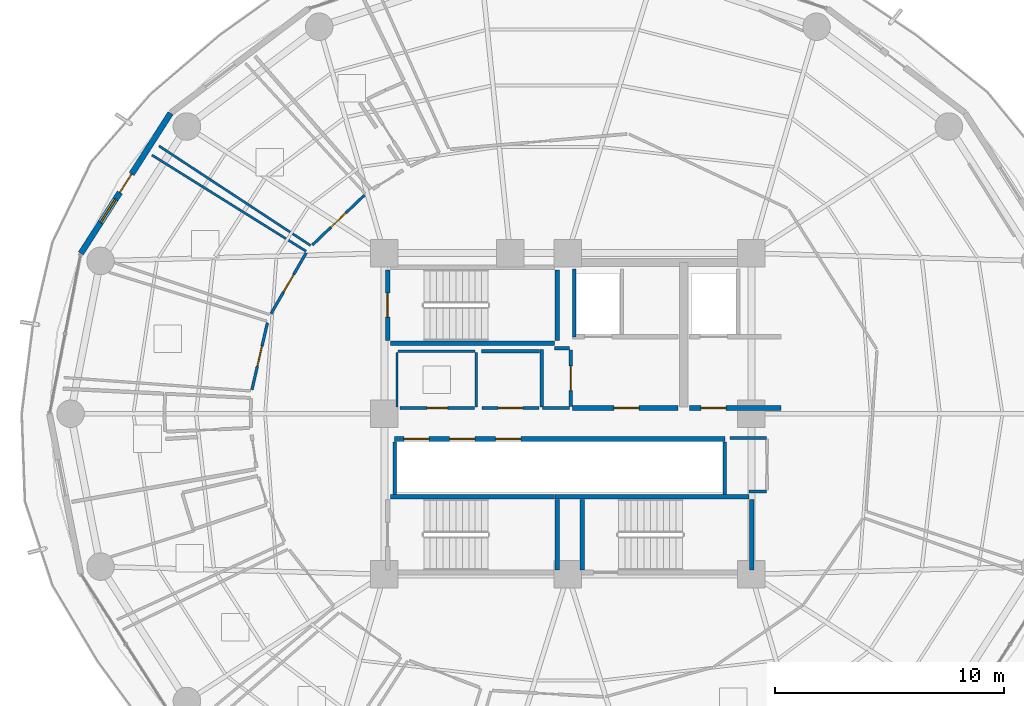
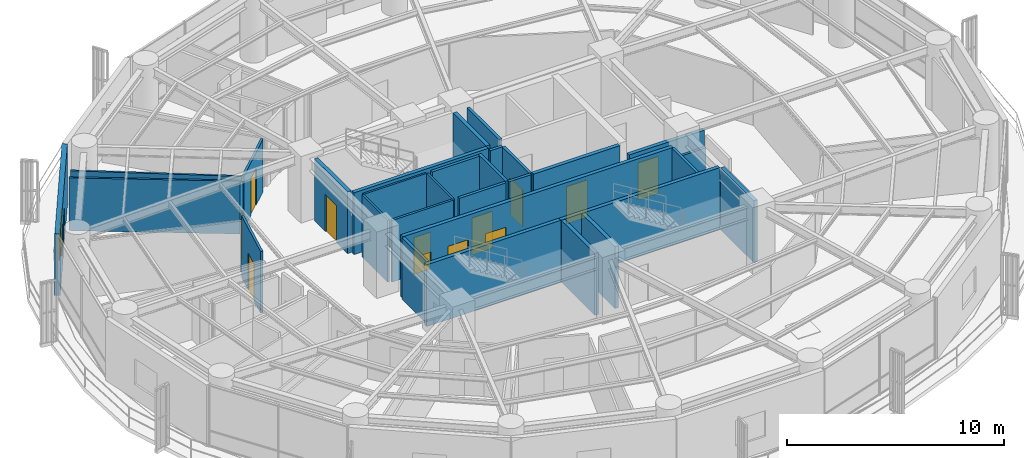
# One storey, part 22 of 28: 32 walls, 13 doors, 1 window, 14 openings.
"""IFC4 building model written with IfcOpenShell, lengths in metres."""

from ifc_helpers import new_model, si_unit, direction, frame, frame_2d, origin, place, context, subcontext, project, spatial, rectangle, extrude, material, layer, layer_set, type_object, element, fill, save


model = new_model("IFC4")

# Units and contexts
model_context = context("Model", 3, precision=1e-05, world=origin(), true_north=direction((0.0, 1.0)))
body_context = subcontext(model_context, "Body", "Model", "MODEL_VIEW")
ifc_project = project(units=[si_unit("LENGTHUNIT", "METRE"), si_unit("AREAUNIT", "SQUARE_METRE"), si_unit("VOLUMEUNIT", "CUBIC_METRE"), si_unit("PLANEANGLEUNIT", "RADIAN"), si_unit("MASSUNIT", "GRAM", prefix="KILO")], contexts=[model_context])

# Site, building, storey
site_placement = place(None, origin())
site = spatial("IfcSite", under=ifc_project, at=site_placement, CompositionType="ELEMENT")
building_placement = place(site_placement, origin())
building = spatial("IfcBuilding", under=site, at=building_placement, Name="Kelanora Arch Commons", CompositionType="ELEMENT")
storey_placement = place(building_placement, frame((0.0, 0.0, 180.60009765625)))
storey = spatial("IfcBuildingStorey", under=building, at=storey_placement, Name="L46", CompositionType="ELEMENT", Elevation=180.60009765625)

# Walls
ifc_material_1 = material(Name="Autoclaved aerated concrete blockwork with fire plaster", Category="masonry")
ifc_layer_1 = layer(ifc_material_1, 0.14990234375)
ifc_layer_set_1 = layer_set([ifc_layer_1], Name="Autoclaved aerated concrete blockwork with fire plaster")
wall_type_1 = type_object("IfcWallType", Name="W-COMP-150", PredefinedType="PARTITIONING", material=ifc_layer_set_1)
wall_1_placement = place(storey_placement, frame((74.280029296875, 61.35009765625, 0.0), z_axis=(0.0, 0.0, 1.0), x_axis=(0.0, 1.0, 0.0)))
element("IfcWall", 1, at=wall_1_placement, inside=storey, type_object=wall_type_1, Name="Firefighting Lift 1 West Shaft Wall L46", PredefinedType="PARTITIONING", context=body_context, shape_type="SweptSolid", body=[
    extrude(rectangle(XDim=2.969970703125, YDim=0.14990234375, at=frame_2d((1.48486328125, 0.0))), origin(), (0.0, 0.0, 1.0), 3.47998046875),
])
for number, where, z_axis, x_axis, name in (
    (2, (66.4599609375, 54.47998046875, 0.0), (0.0, 0.0, 1.0), (0.0, 1.0, 0.0), "South Lift Bank West Wall L46"),
    (3, (80.840087890625, 54.47998046875, 0.0), (0.0, 0.0, 1.0), (0.0, 1.0, 0.0), "South Lift Bank East Wall L46"),
):
    element("IfcWall", number, at=place(storey_placement, frame(where, z_axis=z_axis, x_axis=x_axis)), inside=storey, type_object=wall_type_1, Name=name, PredefinedType="PARTITIONING", context=body_context, shape_type="SweptSolid", body=[
        extrude(rectangle(XDim=2.2900390625, YDim=0.14990234375, at=frame_2d((1.14501953125, 0.0))), origin(), (0.0, 0.0, 1.0), 3.47998046875),
    ])

# Wall, opening, door
wall_2_placement = place(storey_placement, frame((74.1201171875, 58.31005859375, 0.0), z_axis=(0.0, 0.0, 1.0), x_axis=(0.0, 1.0, 0.0)))
wall_2 = element("IfcWall", 4, at=wall_2_placement, inside=storey, type_object=wall_type_1, Name="Core Linen Supply Store L46 Entry Partition", PredefinedType="PARTITIONING", context=body_context, shape_type="SweptSolid", body=[
    extrude(rectangle(XDim=2.47998046875, YDim=0.14990234375, at=frame_2d((1.239990234375, 0.0))), origin(), (0.0, 0.0, 1.0), 3.47998046875),
])
opening_1_placement = place(wall_2_placement, frame((0.699951171875, 0.0, 0.0)))
opening_1 = element("IfcOpeningElement", 5, at=opening_1_placement, cuts=wall_2, Name="Opening D-PLT1", PredefinedType="OPENING", context=body_context, shape_type="SweptSolid", body=[
    extrude(rectangle(XDim=1.080078125, YDim=2.10009765625, at=frame_2d((0.5400390625, 1.050048828125))), frame((0.0, 0.0849609375, 0.0), z_axis=(0.0, -1.0, 0.0), x_axis=(1.0, 0.0, 0.0)), (0.0, 0.0, 1.0), 0.169921875),
])
ifc_material_2 = material(Name="Galvanised steel plant and riser fire door", Category="steel")
door_type_1 = type_object("IfcDoorType", Name="D-PLT-110", OperationType="NOTDEFINED", PredefinedType="DOOR", material=ifc_material_2)
door_1_placement = place(opening_1_placement, origin())
door_1 = element("IfcDoor", 6, at=door_1_placement, inside=storey, type_object=door_type_1, Name="Core Linen Supply Store L46 Door", OperationType="SINGLE_SWING_RIGHT", OverallHeight=2.10009765625, OverallWidth=1.080078125, PredefinedType="DOOR", context=body_context, shape_type="SweptSolid", body=[
    extrude(rectangle(XDim=1.080078125, YDim=2.10009765625, at=frame_2d((0.5400390625, 1.050048828125))), frame((0.0, 0.02490234375, 0.0), z_axis=(0.0, -1.0, 0.0), x_axis=(1.0, 0.0, 0.0)), (0.0, 0.0, 1.0), 0.050048828125),
])
fill(opening_1, door_1)

wall_3_placement = place(storey_placement, frame((70.260009765625, 58.25, 0.0), z_axis=(0.0, 0.0, 1.0), x_axis=(1.0, 0.0, 0.0)))
wall_3 = element("IfcWall", 7, at=wall_3_placement, inside=storey, type_object=wall_type_1, Name="Reclaimed Core Linen Store L46 Entry Partition", PredefinedType="PARTITIONING", context=body_context, shape_type="SweptSolid", body=[
    extrude(rectangle(XDim=2.47998046875, YDim=0.14990234375, at=frame_2d((1.239990234375, 0.0))), origin(), (0.0, 0.0, 1.0), 3.47998046875),
])
opening_2_placement = place(wall_3_placement, frame((0.699951171875, 0.0, 0.0)))
opening_2 = element("IfcOpeningElement", 8, at=opening_2_placement, cuts=wall_3, Name="Opening D-PLT1", PredefinedType="OPENING", context=body_context, shape_type="SweptSolid", body=[
    extrude(rectangle(XDim=1.080078125, YDim=2.10009765625, at=frame_2d((0.5400390625, 1.050048828125))), frame((0.0, 0.0849609375, 0.0), z_axis=(0.0, -1.0, 0.0), x_axis=(1.0, 0.0, 0.0)), (0.0, 0.0, 1.0), 0.169921875),
])
door_2_placement = place(opening_2_placement, origin())
door_2 = element("IfcDoor", 9, at=door_2_placement, inside=storey, type_object=door_type_1, Name="Reclaimed Core Linen Store L46 Door", OperationType="SINGLE_SWING_LEFT", OverallHeight=2.10009765625, OverallWidth=1.080078125, PredefinedType="DOOR", context=body_context, shape_type="SweptSolid", body=[
    extrude(rectangle(XDim=1.080078125, YDim=2.10009765625, at=frame_2d((0.5400390625, 1.050048828125))), frame((0.0, 0.02490234375, 0.0), z_axis=(0.0, -1.0, 0.0), x_axis=(1.0, 0.0, 0.0)), (0.0, 0.0, 1.0), 0.050048828125),
])
fill(opening_2, door_2)

# Walls
wall_4_placement = place(storey_placement, frame((72.89990234375, 58.25, 0.0), z_axis=(0.0, 0.0, 1.0), x_axis=(1.0, 0.0, 0.0)))
element("IfcWall", 10, at=wall_4_placement, inside=storey, type_object=wall_type_1, Name="Core Linen Supply Store L46 Enclosure Partition 1", PredefinedType="PARTITIONING", context=body_context, shape_type="SweptSolid", body=[
    extrude(rectangle(XDim=1.18017578125, YDim=0.14990234375, at=frame_2d((0.590087890625, 0.0))), origin(), (0.0, 0.0, 1.0), 3.47998046875),
])
wall_5_placement = place(storey_placement, frame((74.080078125, 60.85009765625, 0.0), z_axis=(0.0, 0.0, 1.0), x_axis=(-1.0, 0.0, 0.0)))
element("IfcWall", 11, at=wall_5_placement, inside=storey, type_object=wall_type_1, Name="Core Linen Supply Store L46 Enclosure Partition 3", PredefinedType="PARTITIONING", context=body_context, shape_type="SweptSolid", body=[
    extrude(rectangle(XDim=0.66015625, YDim=0.14990234375, at=frame_2d((0.330078125, 0.0))), origin(), (0.0, 0.0, 1.0), 3.47998046875),
])
for number, where, z_axis, x_axis, name in (
    (12, (72.860107421875, 60.81005859375, 0.0), (0.0, 0.0, 1.0), (0.0, -1.0, 0.0), "Core Linen Supply Store L46 Enclosure Partition 4"),
    (13, (72.760009765625, 60.719970703125, 0.0), (0.0, 0.0, 1.0), (-1.0, 0.0, 0.0), "Reclaimed Core Linen Store L46 Enclosure Partition 3"),
):
    element("IfcWall", number, at=place(storey_placement, frame(where, z_axis=z_axis, x_axis=x_axis)), inside=storey, type_object=wall_type_1, Name=name, PredefinedType="PARTITIONING", context=body_context, shape_type="SweptSolid", body=[
        extrude(rectangle(XDim=2.52001953125, YDim=0.14990234375, at=frame_2d((1.260009765625, 0.0))), origin(), (0.0, 0.0, 1.0), 3.47998046875),
    ])

# Wall, openings, door, window
ifc_material_3 = material(Name="Precast concrete C40/50 with terracotta rainscreen", Category="masonry")
ifc_layer_2 = layer(ifc_material_3, 0.260009765625)
ifc_layer_set_2 = layer_set([ifc_layer_2], Name="Precast concrete C40/50 with terracotta rainscreen")
wall_type_2 = type_object("IfcWallType", Name="W-EXT-TC", PredefinedType="SOLIDWALL", material=ifc_layer_set_2)
wall_6_placement = place(storey_placement, frame((56.67919921875, 71.100341796875, 0.0), z_axis=(0.0, 0.0, 1.0), x_axis=(-0.538801521808, -0.842432739213, 0.0)))
wall_6 = element("IfcWall", 14, at=wall_6_placement, inside=storey, type_object=wall_type_2, Name="Terracotta Exterior Wall L46-B07", PredefinedType="SOLIDWALL", context=body_context, shape_type="SweptSolid", body=[
    extrude(rectangle(XDim=7.25341796875, YDim=0.260009765625, at=frame_2d((3.626708984375, 0.0))), origin(), (0.0, 0.0, 1.0), 3.474853515625),
])
opening_3_placement = place(wall_6_placement, frame((3.152099609375, 0.0, 0.0)))
opening_3 = element("IfcOpeningElement", 15, at=opening_3_placement, cuts=wall_6, Name="Opening DB-01", PredefinedType="OPENING", context=body_context, shape_type="SweptSolid", body=[
    extrude(rectangle(XDim=0.949951171875, YDim=2.10009765625, at=frame_2d((0.47509765625, 1.050048828125))), frame((0.0, 0.14013671875, 0.0), z_axis=(0.0, -1.0, 0.0), x_axis=(1.0, 0.0, 0.0)), (0.0, 0.0, 1.0), 0.280029296875),
])
opening_4_placement = place(wall_6_placement, frame((4.451904296875, 0.0, 0.85009765625)))
opening_4 = element("IfcOpeningElement", 16, at=opening_4_placement, cuts=wall_6, Name="Opening WN-02", PredefinedType="OPENING", context=body_context, shape_type="SweptSolid", body=[
    extrude(rectangle(XDim=1.199951171875, YDim=1.449951171875, at=frame_2d((0.60009765625, 0.72509765625))), frame((0.0, 0.14013671875, 0.0), z_axis=(0.0, -1.0, 0.0), x_axis=(1.0, 0.0, 0.0)), (0.0, 0.0, 1.0), 0.280029296875),
])
ifc_material_4 = material(Name="Terracotta-aluminium thermally broken glazed balcony door", Category="masonry")
door_type_2 = type_object("IfcDoorType", Name="D-BAL-10", OperationType="NOTDEFINED", PredefinedType="DOOR", material=ifc_material_4)
door_3_placement = place(opening_3_placement, frame((0.949951171875, 0.0, 0.0), z_axis=(0.0, 0.0, 1.0), x_axis=(-1.0, 0.0, 0.0)))
door_3 = element("IfcDoor", 17, at=door_3_placement, inside=storey, type_object=door_type_2, Name="Wave Balcony Door L46-B07", OperationType="SINGLE_SWING_RIGHT", OverallHeight=2.10009765625, OverallWidth=0.949951171875, PredefinedType="DOOR", context=body_context, shape_type="SweptSolid", body=[
    extrude(rectangle(XDim=0.949951171875, YDim=2.10009765625, at=frame_2d((0.47509765625, 1.050048828125))), frame((0.0, 0.02490234375, 0.0), z_axis=(0.0, -1.0, 0.0), x_axis=(1.0, 0.0, 0.0)), (0.0, 0.0, 1.0), 0.050048828125),
])
fill(opening_3, door_3)
ifc_material_5 = material(Name="Terracotta-anodised aluminium frame with operable awning sash", Category="masonry")
window_type = type_object("IfcWindowType", Name="WIN-CL-12", PartitioningType="SINGLE_PANEL", PredefinedType="WINDOW", material=ifc_material_5)
window_placement = place(opening_4_placement, origin())
window = element("IfcWindow", 18, at=window_placement, inside=storey, type_object=window_type, Name="Co-Living Operable Window L46-B07", OverallHeight=1.449951171875, OverallWidth=1.199951171875, PartitioningType="SINGLE_PANEL", PredefinedType="WINDOW", context=body_context, shape_type="SweptSolid", body=[
    extrude(rectangle(XDim=1.199951171875, YDim=1.449951171875, at=frame_2d((0.60009765625, 0.72509765625))), frame((0.0, 0.030029296875, 0.0), z_axis=(0.0, -1.0, 0.0), x_axis=(1.0, 0.0, 0.0)), (0.0, 0.0, 1.0), 0.06005859375),
])
fill(opening_4, window)

# Wall, opening, door
ifc_material_6 = material(Name="Concrete C40/50", Category="concrete")
ifc_layer_3 = layer(ifc_material_6, 0.199951171875)
ifc_layer_set_3 = layer_set([ifc_layer_3], Name="Concrete C40/50")
wall_type_3 = type_object("IfcWallType", Name="W-FFL-200", PredefinedType="SOLIDWALL", material=ifc_layer_set_3)
wall_7_placement = place(storey_placement, frame((74.199951171875, 58.25, 0.0), z_axis=(0.0, 0.0, 1.0), x_axis=(1.0, 0.0, 0.0)))
wall_7 = element("IfcWall", 19, at=wall_7_placement, inside=storey, type_object=wall_type_3, Name="Firefighting Lobby 1 Enclosure Wall L46", PredefinedType="SOLIDWALL", context=body_context, shape_type="SweptSolid", body=[
    extrude(rectangle(XDim=4.60009765625, YDim=0.199951171875, at=frame_2d((2.300048828125, 0.0))), origin(), (0.0, 0.0, 1.0), 3.47998046875),
])
opening_5_placement = place(wall_7_placement, frame((1.800048828125, 0.0, 0.0)))
opening_5 = element("IfcOpeningElement", 20, at=opening_5_placement, cuts=wall_7, Name="Opening D-FFL1", PredefinedType="OPENING", context=body_context, shape_type="SweptSolid", body=[
    extrude(rectangle(XDim=1.10009765625, YDim=2.10009765625, at=frame_2d((0.550048828125, 1.050048828125))), frame((0.0, 0.10986328125, 0.0), z_axis=(0.0, -1.0, 0.0), x_axis=(1.0, 0.0, 0.0)), (0.0, 0.0, 1.0), 0.219970703125),
])
ifc_material_7 = material(Name="Smoke-sealed firefighting lobby fire door")
door_type_3 = type_object("IfcDoorType", Name="D-FFL-110", OperationType="NOTDEFINED", PredefinedType="DOOR", material=ifc_material_7)
door_4_placement = place(opening_5_placement, frame((1.10009765625, 0.0, 0.0), z_axis=(0.0, 0.0, 1.0), x_axis=(-1.0, 0.0, 0.0)))
door_4 = element("IfcDoor", 21, at=door_4_placement, inside=storey, type_object=door_type_3, Name="Firefighting Lobby 1 Door L46", OperationType="SINGLE_SWING_LEFT", OverallHeight=2.10009765625, OverallWidth=1.10009765625, PredefinedType="DOOR", context=body_context, shape_type="SweptSolid", body=[
    extrude(rectangle(XDim=1.10009765625, YDim=2.10009765625, at=frame_2d((0.550048828125, 1.050048828125))), frame((0.0, 0.02490234375, 0.0), z_axis=(0.0, -1.0, 0.0), x_axis=(1.0, 0.0, 0.0)), (0.0, 0.0, 1.0), 0.050048828125),
])
fill(opening_5, door_4)

wall_8_placement = place(storey_placement, frame((79.300048828125, 58.25, 0.0), z_axis=(0.0, 0.0, 1.0), x_axis=(1.0, 0.0, 0.0)))
wall_8 = element("IfcWall", 22, at=wall_8_placement, inside=storey, type_object=wall_type_3, Name="Firefighting Lobby 2 Enclosure Wall L46", PredefinedType="SOLIDWALL", context=body_context, shape_type="SweptSolid", body=[
    extrude(rectangle(XDim=4.0, YDim=0.199951171875, at=frame_2d((2.0, 0.0))), origin(), (0.0, 0.0, 1.0), 2.77490234375),
])
opening_6_placement = place(wall_8_placement, frame((0.5, 0.0, 0.0)))
opening_6 = element("IfcOpeningElement", 23, at=opening_6_placement, cuts=wall_8, Name="Opening D-FFL1", PredefinedType="OPENING", context=body_context, shape_type="SweptSolid", body=[
    extrude(rectangle(XDim=1.10009765625, YDim=2.10009765625, at=frame_2d((0.550048828125, 1.050048828125))), frame((0.0, 0.10986328125, 0.0), z_axis=(0.0, -1.0, 0.0), x_axis=(1.0, 0.0, 0.0)), (0.0, 0.0, 1.0), 0.219970703125),
])
door_5_placement = place(opening_6_placement, frame((1.10009765625, 0.0, 0.0), z_axis=(0.0, 0.0, 1.0), x_axis=(-1.0, 0.0, 0.0)))
door_5 = element("IfcDoor", 24, at=door_5_placement, inside=storey, type_object=door_type_3, Name="Firefighting Lobby 2 Door L46", OperationType="SINGLE_SWING_RIGHT", OverallHeight=2.10009765625, OverallWidth=1.10009765625, PredefinedType="DOOR", context=body_context, shape_type="SweptSolid", body=[
    extrude(rectangle(XDim=1.10009765625, YDim=2.10009765625, at=frame_2d((0.550048828125, 1.050048828125))), frame((0.0, 0.02490234375, 0.0), z_axis=(0.0, -1.0, 0.0), x_axis=(1.0, 0.0, 0.0)), (0.0, 0.0, 1.0), 0.050048828125),
])
fill(opening_6, door_5)

# Wall, openings, doors
wall_9_placement = place(storey_placement, frame((66.449951171875, 56.89990234375, 0.0), z_axis=(0.0, 0.0, 1.0), x_axis=(1.0, 0.0, 0.0)))
wall_9 = element("IfcWall", 25, at=wall_9_placement, inside=storey, type_object=wall_type_3, Name="Mid/High/Express Lift Shaft Front L46", PredefinedType="SOLIDWALL", context=body_context, shape_type="SweptSolid", body=[
    extrude(rectangle(XDim=14.400146484375, YDim=0.199951171875, at=frame_2d((7.2001953125, 0.0))), origin(), (0.0, 0.0, 1.0), 3.47998046875),
])
opening_7_placement = place(wall_9_placement, frame((0.39990234375, 0.0, 0.0)))
opening_7 = element("IfcOpeningElement", 26, at=opening_7_placement, cuts=wall_9, Name="Opening LD-01", PredefinedType="OPENING", context=body_context, shape_type="SweptSolid", body=[
    extrude(rectangle(XDim=1.10009765625, YDim=2.10009765625, at=frame_2d((0.550048828125, 1.050048828125))), frame((0.0, 0.10986328125, 0.0), z_axis=(0.0, -1.0, 0.0), x_axis=(1.0, 0.0, 0.0)), (0.0, 0.0, 1.0), 0.219970703125),
])
opening_8_placement = place(wall_9_placement, frame((2.39990234375, 0.0, 0.0)))
opening_8 = element("IfcOpeningElement", 27, at=opening_8_placement, cuts=wall_9, Name="Opening LD-01", PredefinedType="OPENING", context=body_context, shape_type="SweptSolid", body=[
    extrude(rectangle(XDim=1.10009765625, YDim=2.10009765625, at=frame_2d((0.550048828125, 1.050048828125))), frame((0.0, 0.10986328125, 0.0), z_axis=(0.0, -1.0, 0.0), x_axis=(1.0, 0.0, 0.0)), (0.0, 0.0, 1.0), 0.219970703125),
])
opening_9_placement = place(wall_9_placement, frame((4.39990234375, 0.0, 0.0)))
opening_9 = element("IfcOpeningElement", 28, at=opening_9_placement, cuts=wall_9, Name="Opening LD-01", PredefinedType="OPENING", context=body_context, shape_type="SweptSolid", body=[
    extrude(rectangle(XDim=1.10009765625, YDim=2.10009765625, at=frame_2d((0.550048828125, 1.050048828125))), frame((0.0, 0.10986328125, 0.0), z_axis=(0.0, -1.0, 0.0), x_axis=(1.0, 0.0, 0.0)), (0.0, 0.0, 1.0), 0.219970703125),
])
ifc_material_8 = material(Name="Stainless steel passenger lift sliding landing door", Category="steel")
door_type_4 = type_object("IfcDoorType", Name="D-LIFT-110", OperationType="NOTDEFINED", PredefinedType="DOOR", material=ifc_material_8)
door_6_placement = place(opening_7_placement, origin())
door_6 = element("IfcDoor", 29, at=door_6_placement, inside=storey, type_object=door_type_4, Name="Passenger Lift LF-P4 Landing Door L46", OperationType="DOUBLE_DOOR_SLIDING", OverallHeight=2.10009765625, OverallWidth=1.10009765625, PredefinedType="DOOR", context=body_context, shape_type="SweptSolid", body=[
    extrude(rectangle(XDim=1.10009765625, YDim=2.10009765625, at=frame_2d((0.550048828125, 1.050048828125))), frame((0.0, 0.02490234375, 0.0), z_axis=(0.0, -1.0, 0.0), x_axis=(1.0, 0.0, 0.0)), (0.0, 0.0, 1.0), 0.050048828125),
])
fill(opening_7, door_6)
door_7_placement = place(opening_8_placement, origin())
door_7 = element("IfcDoor", 30, at=door_7_placement, inside=storey, type_object=door_type_4, Name="Passenger Lift LF-P5 Landing Door L46", OperationType="DOUBLE_DOOR_SLIDING", OverallHeight=2.10009765625, OverallWidth=1.10009765625, PredefinedType="DOOR", context=body_context, shape_type="SweptSolid", body=[
    extrude(rectangle(XDim=1.10009765625, YDim=2.10009765625, at=frame_2d((0.550048828125, 1.050048828125))), frame((0.0, 0.02490234375, 0.0), z_axis=(0.0, -1.0, 0.0), x_axis=(1.0, 0.0, 0.0)), (0.0, 0.0, 1.0), 0.050048828125),
])
fill(opening_8, door_7)
door_8_placement = place(opening_9_placement, origin())
door_8 = element("IfcDoor", 31, at=door_8_placement, inside=storey, type_object=door_type_4, Name="Passenger Lift LF-P6 Landing Door L46", OperationType="DOUBLE_DOOR_SLIDING", OverallHeight=2.10009765625, OverallWidth=1.10009765625, PredefinedType="DOOR", context=body_context, shape_type="SweptSolid", body=[
    extrude(rectangle(XDim=1.10009765625, YDim=2.10009765625, at=frame_2d((0.550048828125, 1.050048828125))), frame((0.0, 0.02490234375, 0.0), z_axis=(0.0, -1.0, 0.0), x_axis=(1.0, 0.0, 0.0)), (0.0, 0.0, 1.0), 0.050048828125),
])
fill(opening_9, door_8)

# Walls
ifc_material_9 = material(Name="Lightweight fire-rated acoustic stud partition")
ifc_layer_4 = layer(ifc_material_9, 0.10009765625)
ifc_layer_set_4 = layer_set([ifc_layer_4], Name="Lightweight fire-rated acoustic stud partition")
wall_type_4 = type_object("IfcWallType", Name="W-PART-100", PredefinedType="PARTITIONING", material=ifc_layer_set_4)
wall_10_placement = place(storey_placement, frame((70.0, 58.2900390625, 0.0), z_axis=(0.0, 0.0, 1.0), x_axis=(0.0, 1.0, 0.0)))
element("IfcWall", 32, at=wall_10_placement, inside=storey, type_object=wall_type_4, Name="Reclaimed Core Quiet Phone Booths L46 Enclosure Partition 2", PredefinedType="PARTITIONING", context=body_context, shape_type="SweptSolid", body=[
    extrude(rectangle(XDim=2.389892578125, YDim=0.10009765625, at=frame_2d((1.19482421875, 0.0))), origin(), (0.0, 0.0, 1.0), 3.47998046875),
])
wall_11_placement = place(storey_placement, frame((69.9599609375, 60.719970703125, 0.0), z_axis=(0.0, 0.0, 1.0), x_axis=(-1.0, 0.0, 0.0)))
element("IfcWall", 33, at=wall_11_placement, inside=storey, type_object=wall_type_4, Name="Reclaimed Core Quiet Phone Booths L46 Enclosure Partition 3", PredefinedType="PARTITIONING", context=body_context, shape_type="SweptSolid", body=[
    extrude(rectangle(XDim=3.369873046875, YDim=0.10009765625, at=frame_2d((1.68505859375, 0.0))), origin(), (0.0, 0.0, 1.0), 3.47998046875),
])
wall_12_placement = place(storey_placement, frame((66.550048828125, 60.679931640625, 0.0), z_axis=(0.0, 0.0, 1.0), x_axis=(0.0, -1.0, 0.0)))
element("IfcWall", 34, at=wall_12_placement, inside=storey, type_object=wall_type_4, Name="Reclaimed Core Quiet Phone Booths L46 Enclosure Partition 4", PredefinedType="PARTITIONING", context=body_context, shape_type="SweptSolid", body=[
    extrude(rectangle(XDim=2.383056640625, YDim=0.10009765625, at=frame_2d((1.19140625, 0.0))), origin(), (0.0, 0.0, 1.0), 3.47998046875),
])
wall_13_placement = place(storey_placement, frame((62.78271484375, 65.333984375, 0.0), z_axis=(0.0, 0.0, 1.0), x_axis=(-0.835790537916, 0.549048428401, 0.0)))
element("IfcWall", 35, at=wall_13_placement, inside=storey, type_object=wall_type_4, Name="Quiet Seminar Study Room L46-02 Enclosure Partition 2", PredefinedType="PARTITIONING", context=body_context, shape_type="SweptSolid", body=[
    extrude(rectangle(XDim=7.903076171875, YDim=0.10009765625, at=frame_2d((3.95166015625, 0.0))), origin(), (0.0, 0.0, 1.0), 3.02490234375),
])
wall_14_placement = place(storey_placement, frame((55.865966796875, 69.27685546875, 0.0), z_axis=(0.0, 0.0, 1.0), x_axis=(0.84851390129, -0.529173090129, 0.0)))
element("IfcWall", 36, at=wall_14_placement, inside=storey, type_object=wall_type_4, Name="Shared Cluster Kitchen L46-03 Enclosure Partition 4", PredefinedType="PARTITIONING", context=body_context, shape_type="SweptSolid", body=[
    extrude(rectangle(XDim=7.921142578125, YDim=0.10009765625, at=frame_2d((3.96044921875, 0.0))), origin(), (0.0, 0.0, 1.0), 2.974853515625),
])

# Wall, opening, door
ifc_material_10 = material(Name="Acoustic twin-stud fire-rated gypsum partition")
ifc_layer_5 = layer(ifc_material_10, 0.1201171875)
ifc_layer_set_5 = layer_set([ifc_layer_5], Name="Acoustic twin-stud fire-rated gypsum partition")
wall_type_5 = type_object("IfcWallType", Name="W-PART-120", PredefinedType="PARTITIONING", material=ifc_layer_set_5)
wall_15_placement = place(storey_placement, frame((66.67529296875, 58.25, 0.0), z_axis=(0.0, 0.0, 1.0), x_axis=(1.0, 0.0, 0.0)))
wall_15 = element("IfcWall", 37, at=wall_15_placement, inside=storey, type_object=wall_type_5, Name="Reclaimed Core Quiet Phone Booths L46 Entry Partition", PredefinedType="PARTITIONING", context=body_context, shape_type="SweptSolid", body=[
    extrude(rectangle(XDim=3.2646484375, YDim=0.1201171875, at=frame_2d((1.63232421875, 0.0))), origin(), (0.0, 0.0, 1.0), 3.47998046875),
])
opening_10_placement = place(wall_15_placement, frame((1.181884765625, 0.0, 0.0)))
opening_10 = element("IfcOpeningElement", 38, at=opening_10_placement, cuts=wall_15, Name="Opening D-RM1", PredefinedType="OPENING", context=body_context, shape_type="SweptSolid", body=[
    extrude(rectangle(XDim=0.89990234375, YDim=2.080078125, at=frame_2d((0.449951171875, 1.0400390625))), frame((0.0, 0.070068359375, 0.0), z_axis=(0.0, -1.0, 0.0), x_axis=(1.0, 0.0, 0.0)), (0.0, 0.0, 1.0), 0.14013671875),
])
ifc_material_11 = material(Name="Acoustic fire-rated timber study and lounge door", Category="wood")
door_type_5 = type_object("IfcDoorType", Name="D-ROOM-90", OperationType="NOTDEFINED", PredefinedType="DOOR", material=ifc_material_11)
door_9_placement = place(opening_10_placement, origin())
door_9 = element("IfcDoor", 39, at=door_9_placement, inside=storey, type_object=door_type_5, Name="Reclaimed Core Quiet Phone Booths L46 Door", OperationType="SINGLE_SWING_RIGHT", OverallHeight=2.080078125, OverallWidth=0.89990234375, PredefinedType="DOOR", context=body_context, shape_type="SweptSolid", body=[
    extrude(rectangle(XDim=0.89990234375, YDim=2.080078125, at=frame_2d((0.449951171875, 1.0400390625))), frame((0.0, 0.02490234375, 0.0), z_axis=(0.0, -1.0, 0.0), x_axis=(1.0, 0.0, 0.0)), (0.0, 0.0, 1.0), 0.050048828125),
])
fill(opening_10, door_9)

wall_16_placement = place(storey_placement, frame((65.134765625, 67.531494140625, 0.0), z_axis=(0.0, 0.0, 1.0), x_axis=(-0.722401093559, -0.691474265627, 0.0)))
wall_16 = element("IfcWall", 40, at=wall_16_placement, inside=storey, type_object=wall_type_5, Name="Quiet Seminar Study Room L46-02 Entry Partition", PredefinedType="PARTITIONING", context=body_context, shape_type="SweptSolid", body=[
    extrude(rectangle(XDim=3.149658203125, YDim=0.1201171875, at=frame_2d((1.57470703125, 0.0))), origin(), (0.0, 0.0, 1.0), 2.974853515625),
])
opening_11_placement = place(wall_16_placement, frame((1.125, 0.0, 0.0)))
opening_11 = element("IfcOpeningElement", 41, at=opening_11_placement, cuts=wall_16, Name="Opening D-RM1", PredefinedType="OPENING", context=body_context, shape_type="SweptSolid", body=[
    extrude(rectangle(XDim=0.89990234375, YDim=2.080078125, at=frame_2d((0.449951171875, 1.0400390625))), frame((0.0, 0.070068359375, 0.0), z_axis=(0.0, -1.0, 0.0), x_axis=(1.0, 0.0, 0.0)), (0.0, 0.0, 1.0), 0.14013671875),
])
door_10_placement = place(opening_11_placement, origin())
door_10 = element("IfcDoor", 42, at=door_10_placement, inside=storey, type_object=door_type_5, Name="Quiet Seminar Study Room L46-02 Door", OperationType="SINGLE_SWING_RIGHT", OverallHeight=2.080078125, OverallWidth=0.89990234375, PredefinedType="DOOR", context=body_context, shape_type="SweptSolid", body=[
    extrude(rectangle(XDim=0.89990234375, YDim=2.080078125, at=frame_2d((0.449951171875, 1.0400390625))), frame((0.0, 0.02490234375, 0.0), z_axis=(0.0, -1.0, 0.0), x_axis=(1.0, 0.0, 0.0)), (0.0, 0.0, 1.0), 0.050048828125),
])
fill(opening_11, door_10)

wall_17_placement = place(storey_placement, frame((62.591064453125, 65.01220703125, 0.0), z_axis=(0.0, 0.0, 1.0), x_axis=(-0.500746842293, -0.865593784598, 0.0)))
wall_17 = element("IfcWall", 43, at=wall_17_placement, inside=storey, type_object=wall_type_5, Name="Shared Cluster Kitchen L46-03 Entry Partition", PredefinedType="PARTITIONING", context=body_context, shape_type="SweptSolid", body=[
    extrude(rectangle(XDim=3.059326171875, YDim=0.1201171875, at=frame_2d((1.52978515625, 0.0))), origin(), (0.0, 0.0, 1.0), 2.974853515625),
])
opening_12_placement = place(wall_17_placement, frame((1.080078125, 0.0, 0.0)))
opening_12 = element("IfcOpeningElement", 44, at=opening_12_placement, cuts=wall_17, Name="Opening D-RM1", PredefinedType="OPENING", context=body_context, shape_type="SweptSolid", body=[
    extrude(rectangle(XDim=0.89990234375, YDim=2.080078125, at=frame_2d((0.449951171875, 1.0400390625))), frame((0.0, 0.070068359375, 0.0), z_axis=(0.0, -1.0, 0.0), x_axis=(1.0, 0.0, 0.0)), (0.0, 0.0, 1.0), 0.14013671875),
])
door_11_placement = place(opening_12_placement, origin())
door_11 = element("IfcDoor", 45, at=door_11_placement, inside=storey, type_object=door_type_5, Name="Shared Cluster Kitchen L46-03 Door", OperationType="SINGLE_SWING_LEFT", OverallHeight=2.080078125, OverallWidth=0.89990234375, PredefinedType="DOOR", context=body_context, shape_type="SweptSolid", body=[
    extrude(rectangle(XDim=0.89990234375, YDim=2.080078125, at=frame_2d((0.449951171875, 1.0400390625))), frame((0.0, 0.02490234375, 0.0), z_axis=(0.0, -1.0, 0.0), x_axis=(1.0, 0.0, 0.0)), (0.0, 0.0, 1.0), 0.050048828125),
])
fill(opening_12, door_11)

wall_18_placement = place(storey_placement, frame((60.902587890625, 61.967529296875, 0.0), z_axis=(0.0, 0.0, 1.0), x_axis=(-0.225317744346, -0.974285335045, 0.0)))
wall_18 = element("IfcWall", 46, at=wall_18_placement, inside=storey, type_object=wall_type_5, Name="Social Sky Lounge L46-04 Entry Partition", PredefinedType="PARTITIONING", context=body_context, shape_type="SweptSolid", body=[
    extrude(rectangle(XDim=2.99609375, YDim=0.1201171875, at=frame_2d((1.498046875, 0.0))), origin(), (0.0, 0.0, 1.0), 3.47998046875),
])
opening_13_placement = place(wall_18_placement, frame((1.048095703125, 0.0, 0.0)))
opening_13 = element("IfcOpeningElement", 47, at=opening_13_placement, cuts=wall_18, Name="Opening D-RM1", PredefinedType="OPENING", context=body_context, shape_type="SweptSolid", body=[
    extrude(rectangle(XDim=0.89990234375, YDim=2.080078125, at=frame_2d((0.449951171875, 1.0400390625))), frame((0.0, 0.070068359375, 0.0), z_axis=(0.0, -1.0, 0.0), x_axis=(1.0, 0.0, 0.0)), (0.0, 0.0, 1.0), 0.14013671875),
])
door_12_placement = place(opening_13_placement, origin())
door_12 = element("IfcDoor", 48, at=door_12_placement, inside=storey, type_object=door_type_5, Name="Social Sky Lounge L46-04 Door", OperationType="SINGLE_SWING_RIGHT", OverallHeight=2.080078125, OverallWidth=0.89990234375, PredefinedType="DOOR", context=body_context, shape_type="SweptSolid", body=[
    extrude(rectangle(XDim=0.89990234375, YDim=2.080078125, at=frame_2d((0.449951171875, 1.0400390625))), frame((0.0, 0.02490234375, 0.0), z_axis=(0.0, -1.0, 0.0), x_axis=(1.0, 0.0, 0.0)), (0.0, 0.0, 1.0), 0.050048828125),
])
fill(opening_13, door_12)

# Walls
ifc_layer_6 = layer(ifc_material_6, 0.199951171875)
ifc_layer_set_6 = layer_set([ifc_layer_6], Name="Concrete C40/50")
wall_type_6 = type_object("IfcWallType", Name="W-STAIR-200", PredefinedType="SHEAR", material=ifc_layer_set_6)
wall_19_placement = place(storey_placement, frame((66.260009765625, 61.080078125, 0.0), z_axis=(0.0, 0.0, 1.0), x_axis=(1.0, 0.0, 0.0)))
element("IfcWall", 49, at=wall_19_placement, inside=storey, type_object=wall_type_6, Name="Stair ST-T1 Shaft Wall S L46", PredefinedType="SHEAR", context=body_context, shape_type="SweptSolid", body=[
    extrude(rectangle(XDim=7.159912109375, YDim=0.199951171875, at=frame_2d((3.580078125, 0.0))), origin(), (0.0, 0.0, 1.0), 3.489990234375),
])
wall_20_placement = place(storey_placement, frame((73.5400390625, 61.199951171875, 0.0), z_axis=(0.0, 0.0, 1.0), x_axis=(0.0, 1.0, 0.0)))
element("IfcWall", 50, at=wall_20_placement, inside=storey, type_object=wall_type_6, Name="Stair ST-T1 Shaft Wall E L46", PredefinedType="SHEAR", context=body_context, shape_type="SweptSolid", body=[
    extrude(rectangle(XDim=3.070068359375, YDim=0.199951171875, at=frame_2d((1.53515625, 0.0))), origin(), (0.0, 0.0, 1.0), 3.489990234375),
])

# Wall, opening, door
wall_21_placement = place(storey_placement, frame((66.139892578125, 64.27001953125, 0.0), z_axis=(0.0, 0.0, 1.0), x_axis=(0.0, -1.0, 0.0)))
wall_21 = element("IfcWall", 51, at=wall_21_placement, inside=storey, type_object=wall_type_6, Name="Stair ST-T1 Shaft Wall W L46", PredefinedType="SHEAR", context=body_context, shape_type="SweptSolid", body=[
    extrude(rectangle(XDim=3.070068359375, YDim=0.199951171875, at=frame_2d((1.53515625, 0.0))), origin(), (0.0, 0.0, 1.0), 3.489990234375),
])
opening_14_placement = place(wall_21_placement, frame((1.010009765625, 0.0, 0.0)))
opening_14 = element("IfcOpeningElement", 52, at=opening_14_placement, cuts=wall_21, Name="Opening D-ST1", PredefinedType="OPENING", context=body_context, shape_type="SweptSolid", body=[
    extrude(rectangle(XDim=1.050048828125, YDim=2.10009765625, at=frame_2d((0.52490234375, 1.050048828125))), frame((0.0, 0.10986328125, 0.0), z_axis=(0.0, -1.0, 0.0), x_axis=(1.0, 0.0, 0.0)), (0.0, 0.0, 1.0), 0.219970703125),
])
ifc_material_12 = material(Name="Steel fire-rated stairwell escape door", Category="steel")
door_type_6 = type_object("IfcDoorType", Name="D-STAIR-110", OperationType="NOTDEFINED", PredefinedType="DOOR", material=ifc_material_12)
door_13_placement = place(opening_14_placement, origin())
door_13 = element("IfcDoor", 53, at=door_13_placement, inside=storey, type_object=door_type_6, Name="Stair ST-T1 Escape Door L46", OperationType="SINGLE_SWING_LEFT", OverallHeight=2.10009765625, OverallWidth=1.050048828125, PredefinedType="DOOR", context=body_context, shape_type="SweptSolid", body=[
    extrude(rectangle(XDim=1.050048828125, YDim=2.10009765625, at=frame_2d((0.52490234375, 1.050048828125))), frame((0.0, 0.02490234375, 0.0), z_axis=(0.0, -1.0, 0.0), x_axis=(1.0, 0.0, 0.0)), (0.0, 0.0, 1.0), 0.050048828125),
])
fill(opening_14, door_13)

# Walls
wall_22_placement = place(storey_placement, frame((82.02001953125, 51.199951171875, 0.0), z_axis=(0.0, 0.0, 1.0), x_axis=(0.0, 1.0, 0.0)))
element("IfcWall", 54, at=wall_22_placement, inside=storey, type_object=wall_type_6, Name="Stair ST-T2 Shaft Wall E L46", PredefinedType="SHEAR", context=body_context, shape_type="SweptSolid", body=[
    extrude(rectangle(XDim=3.070068359375, YDim=0.199951171875, at=frame_2d((1.53515625, 0.0))), origin(), (0.0, 0.0, 1.0), 3.489990234375),
])
wall_23_placement = place(storey_placement, frame((81.89990234375, 54.389892578125, 0.0), z_axis=(0.0, 0.0, 1.0), x_axis=(-1.0, 0.0, 0.0)))
element("IfcWall", 55, at=wall_23_placement, inside=storey, type_object=wall_type_6, Name="Stair ST-T2 Shaft Wall N L46", PredefinedType="SHEAR", context=body_context, shape_type="SweptSolid", body=[
    extrude(rectangle(XDim=8.4599609375, YDim=0.199951171875, at=frame_2d((4.22998046875, 0.0))), origin(), (0.0, 0.0, 1.0), 3.489990234375),
])
for number, where, z_axis, x_axis, name in (
    (56, (74.6201171875, 54.27001953125, 0.0), (0.0, 0.0, 1.0), (0.0, -1.0, 0.0), "Stair ST-T2 Shaft Wall W L46"),
    (57, (73.5400390625, 51.199951171875, 0.0), (0.0, 0.0, 1.0), (0.0, 1.0, 0.0), "Stair ST-T3 Shaft Wall E L46"),
):
    element("IfcWall", number, at=place(storey_placement, frame(where, z_axis=z_axis, x_axis=x_axis)), inside=storey, type_object=wall_type_6, Name=name, PredefinedType="SHEAR", context=body_context, shape_type="SweptSolid", body=[
        extrude(rectangle(XDim=3.070068359375, YDim=0.199951171875, at=frame_2d((1.53515625, 0.0))), origin(), (0.0, 0.0, 1.0), 3.489990234375),
    ])
wall_24_placement = place(storey_placement, frame((73.419921875, 54.389892578125, 0.0), z_axis=(0.0, 0.0, 1.0), x_axis=(-1.0, 0.0, 0.0)))
element("IfcWall", 58, at=wall_24_placement, inside=storey, type_object=wall_type_6, Name="Stair ST-T3 Shaft Wall N L46", PredefinedType="SHEAR", context=body_context, shape_type="SweptSolid", body=[
    extrude(rectangle(XDim=7.159912109375, YDim=0.199951171875, at=frame_2d((3.580078125, 0.0))), origin(), (0.0, 0.0, 1.0), 3.489990234375),
])
ifc_material_13 = material(Name="Moisture-resistant fire-rated cement-board plumbing wall")
ifc_layer_7 = layer(ifc_material_13, 0.1298828125)
ifc_layer_set_7 = layer_set([ifc_layer_7], Name="Moisture-resistant fire-rated cement-board plumbing wall")
wall_type_7 = type_object("IfcWallType", Name="W-WET-120", PredefinedType="PLUMBINGWALL", material=ifc_layer_set_7)
wall_25_placement = place(storey_placement, frame((81.89990234375, 54.6201171875, 0.0), z_axis=(0.0, 0.0, 1.0), x_axis=(1.0, 0.0, 0.0)))
element("IfcWall", 59, at=wall_25_placement, inside=storey, type_object=wall_type_7, Name="Core Accessible Unisex WC L46 Enclosure Partition 1", PredefinedType="PLUMBINGWALL", context=body_context, shape_type="SweptSolid", body=[
    extrude(rectangle(XDim=0.760009765625, YDim=0.1298828125, at=frame_2d((0.3798828125, 0.0))), origin(), (0.0, 0.0, 1.0), 2.77490234375),
])
wall_26_placement = place(storey_placement, frame((82.659912109375, 56.949951171875, 0.0), z_axis=(0.0, 0.0, 1.0), x_axis=(-1.0, 0.0, 0.0)))
element("IfcWall", 60, at=wall_26_placement, inside=storey, type_object=wall_type_7, Name="Core Accessible Unisex WC L46 Enclosure Partition 3", PredefinedType="PLUMBINGWALL", context=body_context, shape_type="SweptSolid", body=[
    extrude(rectangle(XDim=1.58984375, YDim=0.1298828125, at=frame_2d((0.794921875, 0.0))), origin(), (0.0, 0.0, 1.0), 2.77490234375),
])

save(model, "model.ifc")
